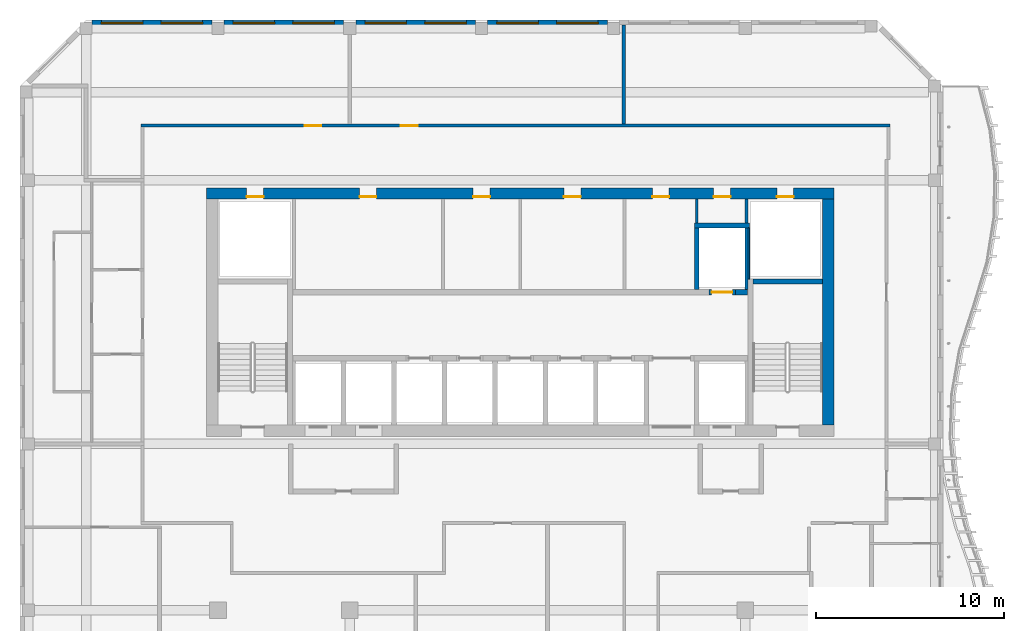
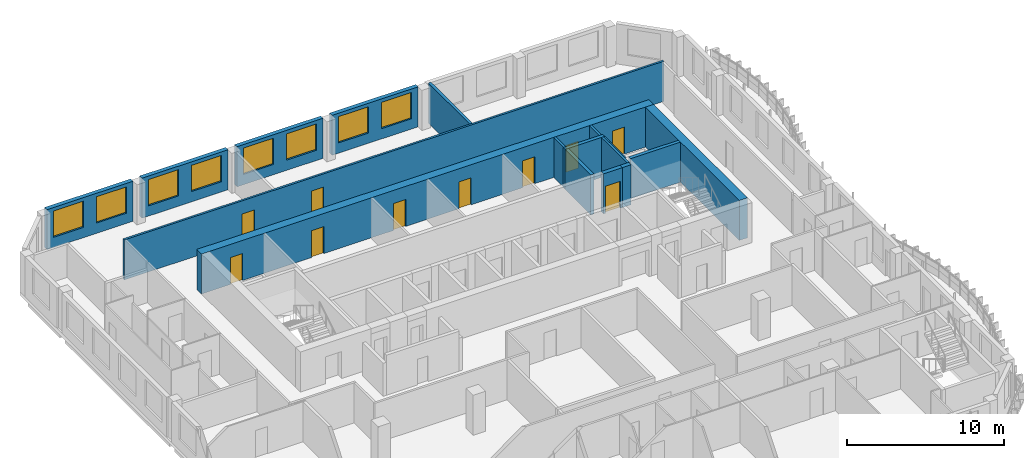
# One storey, part 8 of 18: 17 walls, 10 doors, 8 windows, 18 openings.
"""IFC4 building model written with IfcOpenShell, lengths in metres."""

from ifc_helpers import new_model, si_unit, direction, frame, frame_2d, origin, place, context, subcontext, project, spatial, rectangle, extrude, source, transform, mapped, material, layer, layer_set, type_object, element, fill, save


model = new_model("IFC4")

# Units and contexts
model_context = context("Model", 3, precision=1e-05, world=origin(), true_north=direction((0.0, 1.0)))
body_context = subcontext(model_context, "Body", "Model", "MODEL_VIEW")
ifc_project = project(units=[si_unit("LENGTHUNIT", "METRE"), si_unit("AREAUNIT", "SQUARE_METRE"), si_unit("VOLUMEUNIT", "CUBIC_METRE"), si_unit("PLANEANGLEUNIT", "RADIAN"), si_unit("MASSUNIT", "GRAM", prefix="KILO")], contexts=[model_context])

# Site, building, storey
site_placement = place(None, origin())
site = spatial("IfcSite", under=ifc_project, at=site_placement, CompositionType="ELEMENT")
building_placement = place(site_placement, origin())
building = spatial("IfcBuilding", under=site, at=building_placement, Name="Kilnfold Tower and Market Hall", CompositionType="ELEMENT")
storey_placement = place(building_placement, frame((0.0, 0.0, 270.39990234375)))
storey = spatial("IfcBuildingStorey", under=building, at=storey_placement, Name="L66", CompositionType="ELEMENT", Elevation=270.39990234375)

# Wall, openings, doors
ifc_material_1 = material(Name="Gypsum board on steel studs", Category="steel")
ifc_layer_1 = layer(ifc_material_1, 0.14990234375)
ifc_layer_set_1 = layer_set([ifc_layer_1], Name="Gypsum board on steel studs")
wall_type_1 = type_object("IfcWallType", Name="WALL CORRIDOR 150", PredefinedType="PARTITIONING", material=ifc_layer_set_1)
wall_1_placement = place(storey_placement, frame((-19.074951171875, 24.89990234375, 0.0), z_axis=(0.0, 0.0, 1.0), x_axis=(1.0, 0.0, 0.0)))
wall_1 = element("IfcWall", 1, at=wall_1_placement, inside=storey, type_object=wall_type_1, Name="Partition LY41.23", PredefinedType="PARTITIONING", context=body_context, shape_type="SweptSolid", body=[
    extrude(rectangle(XDim=39.75, YDim=0.14990234375, at=frame_2d((19.875, 0.0))), origin(), (0.0, 0.0, 1.0), 3.1201171875),
])
opening_1_placement = place(wall_1_placement, frame((8.674072265625, 0.0, 0.0)))
opening_1 = element("IfcOpeningElement", 2, at=opening_1_placement, cuts=wall_1, Name="Opening D2", PredefinedType="OPENING", context=body_context, shape_type="SweptSolid", body=[
    extrude(rectangle(XDim=0.89990234375, YDim=2.10009765625, at=frame_2d((0.449951171875, 1.050048828125))), frame((0.0, 0.0849609375, 0.0), z_axis=(0.0, -1.0, 0.0), x_axis=(1.0, 0.0, 0.0)), (0.0, 0.0, 1.0), 0.169921875),
])
opening_2_placement = place(wall_1_placement, frame((13.778076171875, 0.0, 0.0)))
opening_2 = element("IfcOpeningElement", 3, at=opening_2_placement, cuts=wall_1, Name="Opening D2", PredefinedType="OPENING", context=body_context, shape_type="SweptSolid", body=[
    extrude(rectangle(XDim=0.89990234375, YDim=2.10009765625, at=frame_2d((0.449951171875, 1.050048828125))), frame((0.0, 0.0849609375, 0.0), z_axis=(0.0, -1.0, 0.0), x_axis=(1.0, 0.0, 0.0)), (0.0, 0.0, 1.0), 0.169921875),
])
ifc_material_2 = material(Name="Timber veneer door leaf in steel frame", Category="steel")
door_type_1 = type_object("IfcDoorType", Name="DOOR ROOM 900 X2100", OperationType="NOTDEFINED", PredefinedType="DOOR", material=ifc_material_2)
door_1_placement = place(opening_1_placement, origin())
door_1 = element("IfcDoor", 4, at=door_1_placement, inside=storey, type_object=door_type_1, Name="Door D2", OperationType="SINGLE_SWING_RIGHT", OverallHeight=2.10009765625, OverallWidth=0.89990234375, PredefinedType="DOOR", context=body_context, shape_type="SweptSolid", body=[
    extrude(rectangle(XDim=0.89990234375, YDim=2.10009765625, at=frame_2d((0.449951171875, 1.050048828125))), frame((0.0, 0.02490234375, 0.0), z_axis=(0.0, -1.0, 0.0), x_axis=(1.0, 0.0, 0.0)), (0.0, 0.0, 1.0), 0.050048828125),
])
fill(opening_1, door_1)
door_2_placement = place(opening_2_placement, origin())
door_2 = element("IfcDoor", 5, at=door_2_placement, inside=storey, type_object=door_type_1, Name="Door D2", OperationType="SINGLE_SWING_RIGHT", OverallHeight=2.10009765625, OverallWidth=0.89990234375, PredefinedType="DOOR", context=body_context, shape_type="SweptSolid", body=[
    extrude(rectangle(XDim=0.89990234375, YDim=2.10009765625, at=frame_2d((0.449951171875, 1.050048828125))), frame((0.0, 0.02490234375, 0.0), z_axis=(0.0, -1.0, 0.0), x_axis=(1.0, 0.0, 0.0)), (0.0, 0.0, 1.0), 0.050048828125),
])
fill(opening_2, door_2)

# Walls
ifc_material_3 = material(Name="Gypsum board on steel studs", Category="steel")
ifc_layer_2 = layer(ifc_material_3, 0.199951171875)
ifc_layer_set_2 = layer_set([ifc_layer_2], Name="Gypsum board on steel studs")
wall_type_2 = type_object("IfcWallType", Name="WALL PARTY 200", PredefinedType="PARTITIONING", material=ifc_layer_set_2)
wall_2_placement = place(storey_placement, frame((6.550048828125, 24.97705078125, 0.0), z_axis=(0.0, 0.0, 1.0), x_axis=(0.0, 1.0, 0.0)))
element("IfcWall", 6, at=wall_2_placement, inside=storey, type_object=wall_type_2, Name="Partition LY41.80", PredefinedType="PARTITIONING", context=body_context, shape_type="SweptSolid", body=[
    extrude(rectangle(XDim=5.27294921875, YDim=0.199951171875, at=frame_2d((2.636474609375, 0.0))), origin(), (0.0, 0.0, 1.0), 3.1201171875),
])
ifc_material_4 = material(Name="Concrete C50", Category="concrete")
ifc_layer_3 = layer(ifc_material_4, 0.25)
ifc_layer_set_3 = layer_set([ifc_layer_3], Name="Concrete C50")
wall_type_3 = type_object("IfcWallType", Name="CORE WALL 250 C50", PredefinedType="SHEAR", material=ifc_layer_set_3)
shared_shape_1 = source(origin(), body_context, "Body", "SweptSolid", [
    extrude(rectangle(XDim=3.7001953125, YDim=0.25, at=frame_2d((1.85009765625, 0.0))), origin(), (0.0, 0.0, 1.0), 3.1201171875),
])
wall_3_placement = place(storey_placement, frame((13.39990234375, 16.625, 0.0), z_axis=(0.0, 0.0, 1.0), x_axis=(1.0, 0.0, 0.0)))
element("IfcWall", 7, at=wall_3_placement, inside=storey, type_object=wall_type_3, Name="Stair enclosure ST2", PredefinedType="SHEAR", context=body_context, shape_type="MappedRepresentation", body=[
    mapped(shared_shape_1, transform((0.0, 0.0, 0.0))),
])
ifc_material_5 = material(Name="Concrete C50", Category="concrete")
ifc_layer_4 = layer(ifc_material_5, 0.300048828125)
ifc_layer_set_4 = layer_set([ifc_layer_4], Name="Concrete C50")
wall_type_4 = type_object("IfcWallType", Name="CORE WALL 300 C50", PredefinedType="SHEAR", material=ifc_layer_set_4)
shared_shape_2 = source(origin(), body_context, "Body", "SweptSolid", [
    extrude(rectangle(XDim=0.64013671875, YDim=0.300048828125, at=frame_2d((0.320068359375, 0.0))), origin(), (0.0, 0.0, 1.0), 3.1201171875),
])
wall_4_placement = place(storey_placement, frame((12.469970703125, 16.050048828125, 0.0), z_axis=(0.0, 0.0, 1.0), x_axis=(1.0, 0.0, 0.0)))
element("IfcWall", 8, at=wall_4_placement, inside=storey, type_object=wall_type_4, Name="Core spine wall", PredefinedType="SHEAR", context=body_context, shape_type="MappedRepresentation", body=[
    mapped(shared_shape_2, transform((0.0, 0.0, 0.0))),
])

# Wall, openings, doors
ifc_material_6 = material(Name="Concrete C50", Category="concrete")
ifc_layer_5 = layer(ifc_material_6, 0.60009765625)
ifc_layer_set_5 = layer_set([ifc_layer_5], Name="Concrete C50")
wall_type_5 = type_object("IfcWallType", Name="CORE WALL 600 C50", PredefinedType="SHEAR", material=ifc_layer_set_5)
shared_shape_3 = source(origin(), body_context, "Body", "SweptSolid", [
    extrude(rectangle(XDim=33.300048828125, YDim=0.60009765625, at=frame_2d((16.64990234375, 0.0))), origin(), (0.0, 0.0, 1.0), 3.1201171875),
])
wall_5_placement = place(storey_placement, frame((-15.60009765625, 21.300048828125, 0.0), z_axis=(0.0, 0.0, 1.0), x_axis=(1.0, 0.0, 0.0)))
wall_5 = element("IfcWall", 9, at=wall_5_placement, inside=storey, type_object=wall_type_5, Name="Core outer wall north", PredefinedType="SHEAR", context=body_context, shape_type="MappedRepresentation", body=[
    mapped(shared_shape_3, transform((0.0, 0.0, 0.0))),
])
opening_3_placement = place(wall_5_placement, frame((8.119873046875, 0.0, 0.0)))
opening_3 = element("IfcOpeningElement", 10, at=opening_3_placement, cuts=wall_5, Name="Opening KD1", PredefinedType="OPENING", context=body_context, shape_type="SweptSolid", body=[
    extrude(rectangle(XDim=0.89990234375, YDim=2.10009765625, at=frame_2d((0.449951171875, 1.050048828125))), frame((0.0, 0.31005859375, 0.0), z_axis=(0.0, -1.0, 0.0), x_axis=(1.0, 0.0, 0.0)), (0.0, 0.0, 1.0), 0.6201171875),
])
opening_4_placement = place(wall_5_placement, frame((14.14990234375, 0.0, 0.0)))
opening_4 = element("IfcOpeningElement", 11, at=opening_4_placement, cuts=wall_5, Name="Opening KD1", PredefinedType="OPENING", context=body_context, shape_type="SweptSolid", body=[
    extrude(rectangle(XDim=0.89990234375, YDim=2.10009765625, at=frame_2d((0.449951171875, 1.050048828125))), frame((0.0, 0.31005859375, 0.0), z_axis=(0.0, -1.0, 0.0), x_axis=(1.0, 0.0, 0.0)), (0.0, 0.0, 1.0), 0.6201171875),
])
opening_5_placement = place(wall_5_placement, frame((18.973876953125, 0.0, 0.0)))
opening_5 = element("IfcOpeningElement", 12, at=opening_5_placement, cuts=wall_5, Name="Opening KD1", PredefinedType="OPENING", context=body_context, shape_type="SweptSolid", body=[
    extrude(rectangle(XDim=0.89990234375, YDim=2.10009765625, at=frame_2d((0.449951171875, 1.050048828125))), frame((0.0, 0.31005859375, 0.0), z_axis=(0.0, -1.0, 0.0), x_axis=(1.0, 0.0, 0.0)), (0.0, 0.0, 1.0), 0.6201171875),
])
opening_6_placement = place(wall_5_placement, frame((23.663818359375, 0.0, 0.0)))
opening_6 = element("IfcOpeningElement", 13, at=opening_6_placement, cuts=wall_5, Name="Opening KD1", PredefinedType="OPENING", context=body_context, shape_type="SweptSolid", body=[
    extrude(rectangle(XDim=0.89990234375, YDim=2.10009765625, at=frame_2d((0.449951171875, 1.050048828125))), frame((0.0, 0.31005859375, 0.0), z_axis=(0.0, -1.0, 0.0), x_axis=(1.0, 0.0, 0.0)), (0.0, 0.0, 1.0), 0.6201171875),
])
opening_7_placement = place(wall_5_placement, frame((26.919921875, 0.0, 0.0)))
opening_7 = element("IfcOpeningElement", 14, at=opening_7_placement, cuts=wall_5, Name="Opening KD1", PredefinedType="OPENING", context=body_context, shape_type="SweptSolid", body=[
    extrude(rectangle(XDim=0.89990234375, YDim=2.10009765625, at=frame_2d((0.449951171875, 1.050048828125))), frame((0.0, 0.31005859375, 0.0), z_axis=(0.0, -1.0, 0.0), x_axis=(1.0, 0.0, 0.0)), (0.0, 0.0, 1.0), 0.6201171875),
])
opening_8_placement = place(wall_5_placement, frame((2.125, 0.0, 0.0)))
opening_8 = element("IfcOpeningElement", 15, at=opening_8_placement, cuts=wall_5, Name="Opening KD1", PredefinedType="OPENING", context=body_context, shape_type="SweptSolid", body=[
    extrude(rectangle(XDim=0.89990234375, YDim=2.10009765625, at=frame_2d((0.449951171875, 1.050048828125))), frame((0.0, 0.31005859375, 0.0), z_axis=(0.0, -1.0, 0.0), x_axis=(1.0, 0.0, 0.0)), (0.0, 0.0, 1.0), 0.6201171875),
])
opening_9_placement = place(wall_5_placement, frame((30.27490234375, 0.0, 0.0)))
opening_9 = element("IfcOpeningElement", 16, at=opening_9_placement, cuts=wall_5, Name="Opening KD1", PredefinedType="OPENING", context=body_context, shape_type="SweptSolid", body=[
    extrude(rectangle(XDim=0.89990234375, YDim=2.10009765625, at=frame_2d((0.449951171875, 1.050048828125))), frame((0.0, 0.31005859375, 0.0), z_axis=(0.0, -1.0, 0.0), x_axis=(1.0, 0.0, 0.0)), (0.0, 0.0, 1.0), 0.6201171875),
])
ifc_material_7 = material(Name="Steel door set with fire-resisting leaf", Category="steel")
door_type_2 = type_object("IfcDoorType", Name="SERVICE DOOR 900X2100", OperationType="NOTDEFINED", PredefinedType="DOOR", material=ifc_material_7)
door_3_placement = place(opening_3_placement, origin())
door_3 = element("IfcDoor", 17, at=door_3_placement, inside=storey, type_object=door_type_2, Name="Core service door", OperationType="SINGLE_SWING_RIGHT", OverallHeight=2.10009765625, OverallWidth=0.89990234375, PredefinedType="DOOR", context=body_context, shape_type="SweptSolid", body=[
    extrude(rectangle(XDim=0.89990234375, YDim=2.10009765625, at=frame_2d((0.449951171875, 1.050048828125))), frame((0.0, -0.15478515625, 0.0), z_axis=(0.0, -1.0, 0.0), x_axis=(1.0, 0.0, 0.0)), (0.0, 0.0, 1.0), 0.050048828125),
])
fill(opening_3, door_3)
door_4_placement = place(opening_4_placement, origin())
door_4 = element("IfcDoor", 18, at=door_4_placement, inside=storey, type_object=door_type_2, Name="Core service door", OperationType="SINGLE_SWING_LEFT", OverallHeight=2.10009765625, OverallWidth=0.89990234375, PredefinedType="DOOR", context=body_context, shape_type="SweptSolid", body=[
    extrude(rectangle(XDim=0.89990234375, YDim=2.10009765625, at=frame_2d((0.449951171875, 1.050048828125))), frame((0.0, -0.15478515625, 0.0), z_axis=(0.0, -1.0, 0.0), x_axis=(1.0, 0.0, 0.0)), (0.0, 0.0, 1.0), 0.050048828125),
])
fill(opening_4, door_4)
door_5_placement = place(opening_5_placement, origin())
door_5 = element("IfcDoor", 19, at=door_5_placement, inside=storey, type_object=door_type_2, Name="Core service door", OperationType="SINGLE_SWING_RIGHT", OverallHeight=2.10009765625, OverallWidth=0.89990234375, PredefinedType="DOOR", context=body_context, shape_type="SweptSolid", body=[
    extrude(rectangle(XDim=0.89990234375, YDim=2.10009765625, at=frame_2d((0.449951171875, 1.050048828125))), frame((0.0, -0.15478515625, 0.0), z_axis=(0.0, -1.0, 0.0), x_axis=(1.0, 0.0, 0.0)), (0.0, 0.0, 1.0), 0.050048828125),
])
fill(opening_5, door_5)
door_6_placement = place(opening_6_placement, origin())
door_6 = element("IfcDoor", 20, at=door_6_placement, inside=storey, type_object=door_type_2, Name="Core service door", OperationType="SINGLE_SWING_LEFT", OverallHeight=2.10009765625, OverallWidth=0.89990234375, PredefinedType="DOOR", context=body_context, shape_type="SweptSolid", body=[
    extrude(rectangle(XDim=0.89990234375, YDim=2.10009765625, at=frame_2d((0.449951171875, 1.050048828125))), frame((0.0, -0.15478515625, 0.0), z_axis=(0.0, -1.0, 0.0), x_axis=(1.0, 0.0, 0.0)), (0.0, 0.0, 1.0), 0.050048828125),
])
fill(opening_6, door_6)
door_7_placement = place(opening_7_placement, origin())
door_7 = element("IfcDoor", 21, at=door_7_placement, inside=storey, type_object=door_type_2, Name="Core service door", OperationType="SINGLE_SWING_RIGHT", OverallHeight=2.10009765625, OverallWidth=0.89990234375, PredefinedType="DOOR", context=body_context, shape_type="SweptSolid", body=[
    extrude(rectangle(XDim=0.89990234375, YDim=2.10009765625, at=frame_2d((0.449951171875, 1.050048828125))), frame((0.0, -0.15478515625, 0.0), z_axis=(0.0, -1.0, 0.0), x_axis=(1.0, 0.0, 0.0)), (0.0, 0.0, 1.0), 0.050048828125),
])
fill(opening_7, door_7)
door_8_placement = place(opening_8_placement, origin())
door_8 = element("IfcDoor", 22, at=door_8_placement, inside=storey, type_object=door_type_2, Name="Electrical riser access door", OperationType="SINGLE_SWING_LEFT", OverallHeight=2.10009765625, OverallWidth=0.89990234375, PredefinedType="DOOR", context=body_context, shape_type="SweptSolid", body=[
    extrude(rectangle(XDim=0.89990234375, YDim=2.10009765625, at=frame_2d((0.449951171875, 1.050048828125))), frame((0.0, -0.15478515625, 0.0), z_axis=(0.0, -1.0, 0.0), x_axis=(1.0, 0.0, 0.0)), (0.0, 0.0, 1.0), 0.050048828125),
])
fill(opening_8, door_8)
door_9_placement = place(opening_9_placement, origin())
door_9 = element("IfcDoor", 23, at=door_9_placement, inside=storey, type_object=door_type_2, Name="Mechanical riser access door", OperationType="SINGLE_SWING_RIGHT", OverallHeight=2.10009765625, OverallWidth=0.89990234375, PredefinedType="DOOR", context=body_context, shape_type="SweptSolid", body=[
    extrude(rectangle(XDim=0.89990234375, YDim=2.10009765625, at=frame_2d((0.449951171875, 1.050048828125))), frame((0.0, -0.15478515625, 0.0), z_axis=(0.0, -1.0, 0.0), x_axis=(1.0, 0.0, 0.0)), (0.0, 0.0, 1.0), 0.050048828125),
])
fill(opening_9, door_9)

# Wall
shared_shape_4 = source(origin(), body_context, "Body", "SweptSolid", [
    extrude(rectangle(XDim=12.0, YDim=0.60009765625, at=frame_2d((6.0, 0.0))), origin(), (0.0, 0.0, 1.0), 3.1201171875),
])
wall_6_placement = place(storey_placement, frame((17.39990234375, 9.0, 0.0), z_axis=(0.0, 0.0, 1.0), x_axis=(0.0, 1.0, 0.0)))
element("IfcWall", 24, at=wall_6_placement, inside=storey, type_object=wall_type_5, Name="Core outer wall east", PredefinedType="SHEAR", context=body_context, shape_type="MappedRepresentation", body=[
    mapped(shared_shape_4, transform((0.0, 0.0, 0.0))),
])

# Wall, openings, windows
ifc_material_8 = material(Name="Precast concrete C50/60", Category="concrete")
ifc_layer_6 = layer(ifc_material_8, 0.300048828125)
ifc_layer_set_6 = layer_set([ifc_layer_6], Name="Precast concrete C50/60")
wall_type_6 = type_object("IfcWallType", Name="PRECAST WALL 300", PredefinedType="SOLIDWALL", material=ifc_layer_set_6)
shared_shape_5 = source(origin(), body_context, "Body", "SweptSolid", [
    extrude(rectangle(XDim=6.35009765625, YDim=0.300048828125, at=frame_2d((3.175048828125, 0.0))), origin(), (0.0, 0.0, 1.0), 3.1201171875),
])
wall_7_placement = place(storey_placement, frame((5.675048828125, 30.35009765625, 0.0), z_axis=(0.0, 0.0, 1.0), x_axis=(-1.0, 0.0, 0.0)))
wall_7 = element("IfcWall", 25, at=wall_7_placement, inside=storey, type_object=wall_type_6, Name="External wall L66 N", PredefinedType="SOLIDWALL", context=body_context, shape_type="MappedRepresentation", body=[
    mapped(shared_shape_5, transform((0.0, 0.0, 0.0))),
])
opening_10_placement = place(wall_7_placement, frame((0.487548828125, 0.0, 0.800048828125)))
opening_10 = element("IfcOpeningElement", 26, at=opening_10_placement, cuts=wall_7, Name="Opening W3", PredefinedType="OPENING", context=body_context, shape_type="SweptSolid", body=[
    extrude(rectangle(XDim=2.199951171875, YDim=2.050048828125, at=frame_2d((1.10009765625, 1.02490234375))), frame((0.0, 0.16015625, 0.0), z_axis=(0.0, -1.0, 0.0), x_axis=(1.0, 0.0, 0.0)), (0.0, 0.0, 1.0), 0.320068359375),
])
opening_11_placement = place(wall_7_placement, frame((3.66259765625, 0.0, 0.800048828125)))
opening_11 = element("IfcOpeningElement", 27, at=opening_11_placement, cuts=wall_7, Name="Opening W3", PredefinedType="OPENING", context=body_context, shape_type="SweptSolid", body=[
    extrude(rectangle(XDim=2.199951171875, YDim=2.050048828125, at=frame_2d((1.10009765625, 1.02490234375))), frame((0.0, 0.16015625, 0.0), z_axis=(0.0, -1.0, 0.0), x_axis=(1.0, 0.0, 0.0)), (0.0, 0.0, 1.0), 0.320068359375),
])
ifc_material_9 = material(Name="Aluminium frame and double glazing", Category="aluminium")
window_type = type_object("IfcWindowType", Name="WINDOW W3 2200X2050", PartitioningType="SINGLE_PANEL", PredefinedType="WINDOW", material=ifc_material_9)
window_1_placement = place(opening_10_placement, origin())
window_1 = element("IfcWindow", 28, at=window_1_placement, inside=storey, type_object=window_type, Name="Window W3 L66 N-1", OverallHeight=2.050048828125, OverallWidth=2.199951171875, PartitioningType="SINGLE_PANEL", PredefinedType="WINDOW", context=body_context, shape_type="SweptSolid", body=[
    extrude(rectangle(XDim=2.199951171875, YDim=2.050048828125, at=frame_2d((1.10009765625, 1.02490234375))), frame((0.0, 0.030029296875, 0.0), z_axis=(0.0, -1.0, 0.0), x_axis=(1.0, 0.0, 0.0)), (0.0, 0.0, 1.0), 0.06005859375),
])
fill(opening_10, window_1)
window_2_placement = place(opening_11_placement, origin())
window_2 = element("IfcWindow", 29, at=window_2_placement, inside=storey, type_object=window_type, Name="Window W3 L66 N-2", OverallHeight=2.050048828125, OverallWidth=2.199951171875, PartitioningType="SINGLE_PANEL", PredefinedType="WINDOW", context=body_context, shape_type="SweptSolid", body=[
    extrude(rectangle(XDim=2.199951171875, YDim=2.050048828125, at=frame_2d((1.10009765625, 1.02490234375))), frame((0.0, 0.030029296875, 0.0), z_axis=(0.0, -1.0, 0.0), x_axis=(1.0, 0.0, 0.0)), (0.0, 0.0, 1.0), 0.06005859375),
])
fill(opening_11, window_2)

wall_8_placement = place(storey_placement, frame((-1.324951171875, 30.35009765625, 0.0), z_axis=(0.0, 0.0, 1.0), x_axis=(-1.0, 0.0, 0.0)))
wall_8 = element("IfcWall", 30, at=wall_8_placement, inside=storey, type_object=wall_type_6, Name="External wall L66 N", PredefinedType="SOLIDWALL", context=body_context, shape_type="MappedRepresentation", body=[
    mapped(shared_shape_5, transform((0.0, 0.0, 0.0))),
])
opening_12_placement = place(wall_8_placement, frame((0.487548828125, 0.0, 0.800048828125)))
opening_12 = element("IfcOpeningElement", 31, at=opening_12_placement, cuts=wall_8, Name="Opening W3", PredefinedType="OPENING", context=body_context, shape_type="SweptSolid", body=[
    extrude(rectangle(XDim=2.199951171875, YDim=2.050048828125, at=frame_2d((1.10009765625, 1.02490234375))), frame((0.0, 0.16015625, 0.0), z_axis=(0.0, -1.0, 0.0), x_axis=(1.0, 0.0, 0.0)), (0.0, 0.0, 1.0), 0.320068359375),
])
opening_13_placement = place(wall_8_placement, frame((3.66259765625, 0.0, 0.800048828125)))
opening_13 = element("IfcOpeningElement", 32, at=opening_13_placement, cuts=wall_8, Name="Opening W3", PredefinedType="OPENING", context=body_context, shape_type="SweptSolid", body=[
    extrude(rectangle(XDim=2.199951171875, YDim=2.050048828125, at=frame_2d((1.10009765625, 1.02490234375))), frame((0.0, 0.16015625, 0.0), z_axis=(0.0, -1.0, 0.0), x_axis=(1.0, 0.0, 0.0)), (0.0, 0.0, 1.0), 0.320068359375),
])
window_3_placement = place(opening_12_placement, origin())
window_3 = element("IfcWindow", 33, at=window_3_placement, inside=storey, type_object=window_type, Name="Window W3 L66 N-1", OverallHeight=2.050048828125, OverallWidth=2.199951171875, PartitioningType="SINGLE_PANEL", PredefinedType="WINDOW", context=body_context, shape_type="SweptSolid", body=[
    extrude(rectangle(XDim=2.199951171875, YDim=2.050048828125, at=frame_2d((1.10009765625, 1.02490234375))), frame((0.0, 0.030029296875, 0.0), z_axis=(0.0, -1.0, 0.0), x_axis=(1.0, 0.0, 0.0)), (0.0, 0.0, 1.0), 0.06005859375),
])
fill(opening_12, window_3)
window_4_placement = place(opening_13_placement, origin())
window_4 = element("IfcWindow", 34, at=window_4_placement, inside=storey, type_object=window_type, Name="Window W3 L66 N-2", OverallHeight=2.050048828125, OverallWidth=2.199951171875, PartitioningType="SINGLE_PANEL", PredefinedType="WINDOW", context=body_context, shape_type="SweptSolid", body=[
    extrude(rectangle(XDim=2.199951171875, YDim=2.050048828125, at=frame_2d((1.10009765625, 1.02490234375))), frame((0.0, 0.030029296875, 0.0), z_axis=(0.0, -1.0, 0.0), x_axis=(1.0, 0.0, 0.0)), (0.0, 0.0, 1.0), 0.06005859375),
])
fill(opening_13, window_4)

wall_9_placement = place(storey_placement, frame((-8.324951171875, 30.35009765625, 0.0), z_axis=(0.0, 0.0, 1.0), x_axis=(-1.0, 0.0, 0.0)))
wall_9 = element("IfcWall", 35, at=wall_9_placement, inside=storey, type_object=wall_type_6, Name="External wall L66 N", PredefinedType="SOLIDWALL", context=body_context, shape_type="MappedRepresentation", body=[
    mapped(shared_shape_5, transform((0.0, 0.0, 0.0))),
])
opening_14_placement = place(wall_9_placement, frame((0.487548828125, 0.0, 0.800048828125)))
opening_14 = element("IfcOpeningElement", 36, at=opening_14_placement, cuts=wall_9, Name="Opening W3", PredefinedType="OPENING", context=body_context, shape_type="SweptSolid", body=[
    extrude(rectangle(XDim=2.199951171875, YDim=2.050048828125, at=frame_2d((1.10009765625, 1.02490234375))), frame((0.0, 0.16015625, 0.0), z_axis=(0.0, -1.0, 0.0), x_axis=(1.0, 0.0, 0.0)), (0.0, 0.0, 1.0), 0.320068359375),
])
opening_15_placement = place(wall_9_placement, frame((3.66259765625, 0.0, 0.800048828125)))
opening_15 = element("IfcOpeningElement", 37, at=opening_15_placement, cuts=wall_9, Name="Opening W3", PredefinedType="OPENING", context=body_context, shape_type="SweptSolid", body=[
    extrude(rectangle(XDim=2.199951171875, YDim=2.050048828125, at=frame_2d((1.10009765625, 1.02490234375))), frame((0.0, 0.16015625, 0.0), z_axis=(0.0, -1.0, 0.0), x_axis=(1.0, 0.0, 0.0)), (0.0, 0.0, 1.0), 0.320068359375),
])
window_5_placement = place(opening_14_placement, origin())
window_5 = element("IfcWindow", 38, at=window_5_placement, inside=storey, type_object=window_type, Name="Window W3 L66 N-1", OverallHeight=2.050048828125, OverallWidth=2.199951171875, PartitioningType="SINGLE_PANEL", PredefinedType="WINDOW", context=body_context, shape_type="SweptSolid", body=[
    extrude(rectangle(XDim=2.199951171875, YDim=2.050048828125, at=frame_2d((1.10009765625, 1.02490234375))), frame((0.0, 0.030029296875, 0.0), z_axis=(0.0, -1.0, 0.0), x_axis=(1.0, 0.0, 0.0)), (0.0, 0.0, 1.0), 0.06005859375),
])
fill(opening_14, window_5)
window_6_placement = place(opening_15_placement, origin())
window_6 = element("IfcWindow", 39, at=window_6_placement, inside=storey, type_object=window_type, Name="Window W3 L66 N-2", OverallHeight=2.050048828125, OverallWidth=2.199951171875, PartitioningType="SINGLE_PANEL", PredefinedType="WINDOW", context=body_context, shape_type="SweptSolid", body=[
    extrude(rectangle(XDim=2.199951171875, YDim=2.050048828125, at=frame_2d((1.10009765625, 1.02490234375))), frame((0.0, 0.030029296875, 0.0), z_axis=(0.0, -1.0, 0.0), x_axis=(1.0, 0.0, 0.0)), (0.0, 0.0, 1.0), 0.06005859375),
])
fill(opening_15, window_6)

wall_10_placement = place(storey_placement, frame((-15.324951171875, 30.35009765625, 0.0), z_axis=(0.0, 0.0, 1.0), x_axis=(-1.0, 0.0, 0.0)))
wall_10 = element("IfcWall", 40, at=wall_10_placement, inside=storey, type_object=wall_type_6, Name="External wall L66 N", PredefinedType="SOLIDWALL", context=body_context, shape_type="MappedRepresentation", body=[
    mapped(shared_shape_5, transform((0.0, 0.0, 0.0))),
])
opening_16_placement = place(wall_10_placement, frame((0.487548828125, 0.0, 0.800048828125)))
opening_16 = element("IfcOpeningElement", 41, at=opening_16_placement, cuts=wall_10, Name="Opening W3", PredefinedType="OPENING", context=body_context, shape_type="SweptSolid", body=[
    extrude(rectangle(XDim=2.199951171875, YDim=2.050048828125, at=frame_2d((1.10009765625, 1.02490234375))), frame((0.0, 0.16015625, 0.0), z_axis=(0.0, -1.0, 0.0), x_axis=(1.0, 0.0, 0.0)), (0.0, 0.0, 1.0), 0.320068359375),
])
opening_17_placement = place(wall_10_placement, frame((3.66259765625, 0.0, 0.800048828125)))
opening_17 = element("IfcOpeningElement", 42, at=opening_17_placement, cuts=wall_10, Name="Opening W3", PredefinedType="OPENING", context=body_context, shape_type="SweptSolid", body=[
    extrude(rectangle(XDim=2.199951171875, YDim=2.050048828125, at=frame_2d((1.10009765625, 1.02490234375))), frame((0.0, 0.16015625, 0.0), z_axis=(0.0, -1.0, 0.0), x_axis=(1.0, 0.0, 0.0)), (0.0, 0.0, 1.0), 0.320068359375),
])
window_7_placement = place(opening_16_placement, origin())
window_7 = element("IfcWindow", 43, at=window_7_placement, inside=storey, type_object=window_type, Name="Window W3 L66 N-1", OverallHeight=2.050048828125, OverallWidth=2.199951171875, PartitioningType="SINGLE_PANEL", PredefinedType="WINDOW", context=body_context, shape_type="SweptSolid", body=[
    extrude(rectangle(XDim=2.199951171875, YDim=2.050048828125, at=frame_2d((1.10009765625, 1.02490234375))), frame((0.0, 0.030029296875, 0.0), z_axis=(0.0, -1.0, 0.0), x_axis=(1.0, 0.0, 0.0)), (0.0, 0.0, 1.0), 0.06005859375),
])
fill(opening_16, window_7)
window_8_placement = place(opening_17_placement, origin())
window_8 = element("IfcWindow", 44, at=window_8_placement, inside=storey, type_object=window_type, Name="Window W3 L66 N-2", OverallHeight=2.050048828125, OverallWidth=2.199951171875, PartitioningType="SINGLE_PANEL", PredefinedType="WINDOW", context=body_context, shape_type="SweptSolid", body=[
    extrude(rectangle(XDim=2.199951171875, YDim=2.050048828125, at=frame_2d((1.10009765625, 1.02490234375))), frame((0.0, 0.030029296875, 0.0), z_axis=(0.0, -1.0, 0.0), x_axis=(1.0, 0.0, 0.0)), (0.0, 0.0, 1.0), 0.06005859375),
])
fill(opening_17, window_8)

# Wall, opening, door
ifc_material_10 = material(Name="Gypsum shaft wall system")
ifc_layer_7 = layer(ifc_material_10, 0.300048828125)
ifc_layer_set_7 = layer_set([ifc_layer_7], Name="Gypsum shaft wall system")
wall_type_7 = type_object("IfcWallType", Name="SHAFT WALL 300", PredefinedType="PARTITIONING", material=ifc_layer_set_7)
shared_shape_6 = source(origin(), body_context, "Body", "SweptSolid", [
    extrude(rectangle(XDim=1.39990234375, YDim=0.300048828125, at=frame_2d((0.699951171875, 0.0))), origin(), (0.0, 0.0, 1.0), 3.1201171875),
])
wall_11_placement = place(storey_placement, frame((11.070068359375, 16.050048828125, 0.0), z_axis=(0.0, 0.0, 1.0), x_axis=(1.0, 0.0, 0.0)))
wall_11 = element("IfcWall", 45, at=wall_11_placement, inside=storey, type_object=wall_type_7, Name="Lift shaft front wall", PredefinedType="PARTITIONING", context=body_context, shape_type="MappedRepresentation", body=[
    mapped(shared_shape_6, transform((0.0, 0.0, 0.0))),
])
opening_18_placement = place(wall_11_placement, frame((0.14990234375, 0.0, 0.0)))
opening_18 = element("IfcOpeningElement", 46, at=opening_18_placement, cuts=wall_11, Name="Opening LD2", PredefinedType="OPENING", context=body_context, shape_type="SweptSolid", body=[
    extrude(rectangle(XDim=1.10009765625, YDim=2.10009765625, at=frame_2d((0.550048828125, 1.050048828125))), frame((0.0, 0.16015625, 0.0), z_axis=(0.0, -1.0, 0.0), x_axis=(1.0, 0.0, 0.0)), (0.0, 0.0, 1.0), 0.320068359375),
])
ifc_material_11 = material(Name="Steel door set with fire-resisting leaf", Category="steel")
door_type_3 = type_object("IfcDoorType", Name="LANDING DOOR 1100X2100", OperationType="NOTDEFINED", PredefinedType="DOOR", material=ifc_material_11)
door_10_placement = place(opening_18_placement, origin())
door_10 = element("IfcDoor", 47, at=door_10_placement, inside=storey, type_object=door_type_3, Name="Landing door HR6", OperationType="DOUBLE_DOOR_SLIDING", OverallHeight=2.10009765625, OverallWidth=1.10009765625, PredefinedType="DOOR", context=body_context, shape_type="SweptSolid", body=[
    extrude(rectangle(XDim=1.10009765625, YDim=2.10009765625, at=frame_2d((0.550048828125, 1.050048828125))), frame((0.0, 0.02490234375, 0.0), z_axis=(0.0, -1.0, 0.0), x_axis=(1.0, 0.0, 0.0)), (0.0, 0.0, 1.0), 0.050048828125),
])
fill(opening_18, door_10)

# Walls
ifc_material_12 = material(Name="Gypsum shaft wall system")
ifc_layer_8 = layer(ifc_material_12, 0.1650390625)
ifc_layer_set_8 = layer_set([ifc_layer_8], Name="Gypsum shaft wall system")
wall_type_8 = type_object("IfcWallType", Name="SHAFT WALL 165", PredefinedType="PARTITIONING", material=ifc_layer_set_8)
shared_shape_7 = source(origin(), body_context, "Body", "SweptSolid", [
    extrude(rectangle(XDim=3.275146484375, YDim=0.1650390625, at=frame_2d((1.6376953125, 0.0))), origin(), (0.0, 0.0, 1.0), 3.1201171875),
])
wall_12_placement = place(storey_placement, frame((13.0673828125, 16.199951171875, 0.0), z_axis=(0.0, 0.0, 1.0), x_axis=(0.0, 1.0, 0.0)))
element("IfcWall", 48, at=wall_12_placement, inside=storey, type_object=wall_type_8, Name="Lift shaft wall", PredefinedType="PARTITIONING", context=body_context, shape_type="MappedRepresentation", body=[
    mapped(shared_shape_7, transform((0.0, 0.0, 0.0))),
])
shared_shape_8 = source(origin(), body_context, "Body", "SweptSolid", [
    extrude(rectangle(XDim=1.27490234375, YDim=0.1650390625, at=frame_2d((0.637451171875, 0.0))), origin(), (0.0, 0.0, 1.0), 3.1201171875),
])
wall_13_placement = place(storey_placement, frame((13.0673828125, 19.72509765625, 0.0), z_axis=(0.0, 0.0, 1.0), x_axis=(0.0, 1.0, 0.0)))
element("IfcWall", 49, at=wall_13_placement, inside=storey, type_object=wall_type_8, Name="Lift shaft wall", PredefinedType="PARTITIONING", context=body_context, shape_type="MappedRepresentation", body=[
    mapped(shared_shape_8, transform((0.0, 0.0, 0.0))),
])
ifc_material_13 = material(Name="Gypsum shaft wall system")
ifc_layer_9 = layer(ifc_material_13, 0.25)
ifc_layer_set_9 = layer_set([ifc_layer_9], Name="Gypsum shaft wall system")
wall_type_9 = type_object("IfcWallType", Name="SHAFT WALL 250", PredefinedType="PARTITIONING", material=ifc_layer_set_9)
shared_shape_9 = source(origin(), body_context, "Body", "SweptSolid", [
    extrude(rectangle(XDim=3.275146484375, YDim=0.25, at=frame_2d((1.6376953125, 0.0))), origin(), (0.0, 0.0, 1.0), 3.1201171875),
])
wall_14_placement = place(storey_placement, frame((10.429931640625, 16.199951171875, 0.0), z_axis=(0.0, 0.0, 1.0), x_axis=(0.0, 1.0, 0.0)))
element("IfcWall", 50, at=wall_14_placement, inside=storey, type_object=wall_type_9, Name="Lift shaft wall", PredefinedType="PARTITIONING", context=body_context, shape_type="MappedRepresentation", body=[
    mapped(shared_shape_9, transform((0.0, 0.0, 0.0))),
])
ifc_material_14 = material(Name="Gypsum shaft wall system")
ifc_layer_10 = layer(ifc_material_14, 0.0849609375)
ifc_layer_set_10 = layer_set([ifc_layer_10], Name="Gypsum shaft wall system")
wall_type_10 = type_object("IfcWallType", Name="SHAFT WALL 85", PredefinedType="PARTITIONING", material=ifc_layer_set_10)
shared_shape_10 = source(origin(), body_context, "Body", "SweptSolid", [
    extrude(rectangle(XDim=2.72509765625, YDim=0.0849609375, at=frame_2d((1.362548828125, 0.0))), origin(), (0.0, 0.0, 1.0), 3.1201171875),
])
wall_15_placement = place(storey_placement, frame((13.1923828125, 16.75, 0.0), z_axis=(0.0, 0.0, 1.0), x_axis=(0.0, 1.0, 0.0)))
element("IfcWall", 51, at=wall_15_placement, inside=storey, type_object=wall_type_10, Name="Lift shaft wall", PredefinedType="PARTITIONING", context=body_context, shape_type="MappedRepresentation", body=[
    mapped(shared_shape_10, transform((0.0, 0.0, 0.0))),
])
ifc_material_15 = material(Name="Gypsum shaft wall system")
ifc_layer_11 = layer(ifc_material_15, 0.14990234375)
ifc_layer_set_11 = layer_set([ifc_layer_11], Name="Gypsum shaft wall system")
wall_type_11 = type_object("IfcWallType", Name="ROOM WALL 150", PredefinedType="PARTITIONING", material=ifc_layer_set_11)
shared_shape_11 = source(origin(), body_context, "Body", "SweptSolid", [
    extrude(rectangle(XDim=1.27490234375, YDim=0.14990234375, at=frame_2d((0.637451171875, 0.0))), origin(), (0.0, 0.0, 1.0), 3.1201171875),
])
wall_16_placement = place(storey_placement, frame((10.429931640625, 19.72509765625, 0.0), z_axis=(0.0, 0.0, 1.0), x_axis=(0.0, 1.0, 0.0)))
element("IfcWall", 52, at=wall_16_placement, inside=storey, type_object=wall_type_11, Name="Core room wall", PredefinedType="PARTITIONING", context=body_context, shape_type="MappedRepresentation", body=[
    mapped(shared_shape_11, transform((0.0, 0.0, 0.0))),
])
shared_shape_12 = source(origin(), body_context, "Body", "SweptSolid", [
    extrude(rectangle(XDim=2.93017578125, YDim=0.25, at=frame_2d((1.465087890625, 0.0))), origin(), (0.0, 0.0, 1.0), 3.1201171875),
])
wall_17_placement = place(storey_placement, frame((10.304931640625, 19.60009765625, 0.0), z_axis=(0.0, 0.0, 1.0), x_axis=(1.0, 0.0, 0.0)))
element("IfcWall", 53, at=wall_17_placement, inside=storey, type_object=wall_type_9, Name="Lift shaft wall", PredefinedType="PARTITIONING", context=body_context, shape_type="MappedRepresentation", body=[
    mapped(shared_shape_12, transform((0.0, 0.0, 0.0))),
])

save(model, "model.ifc")
